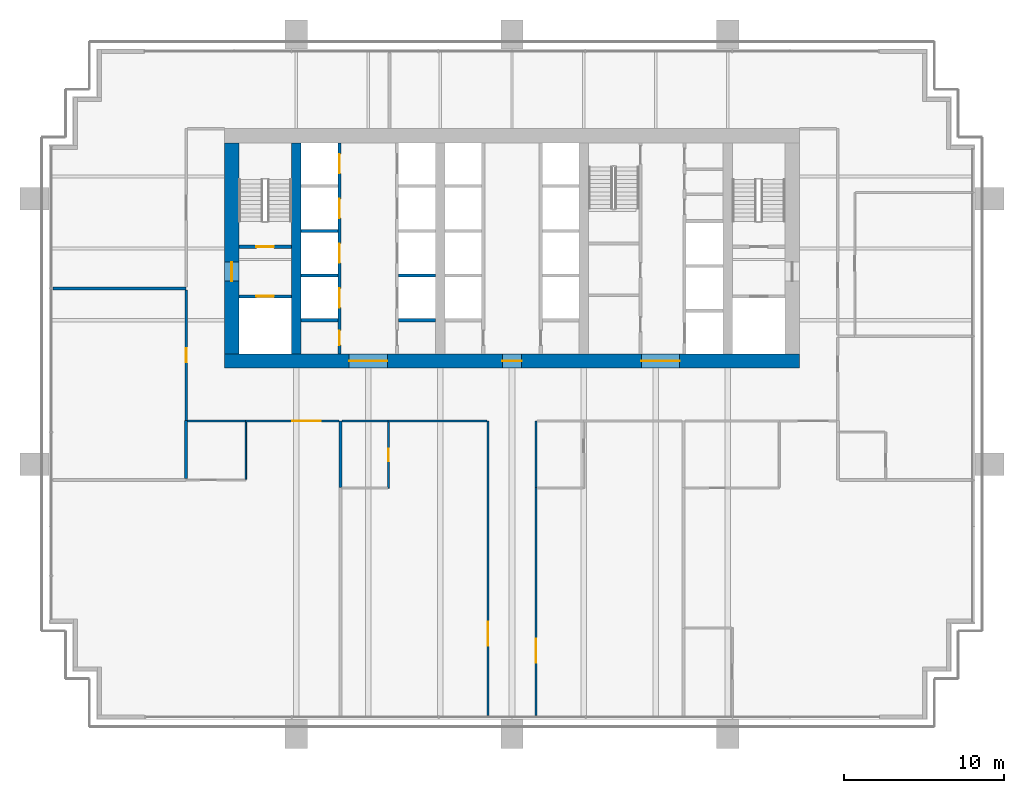
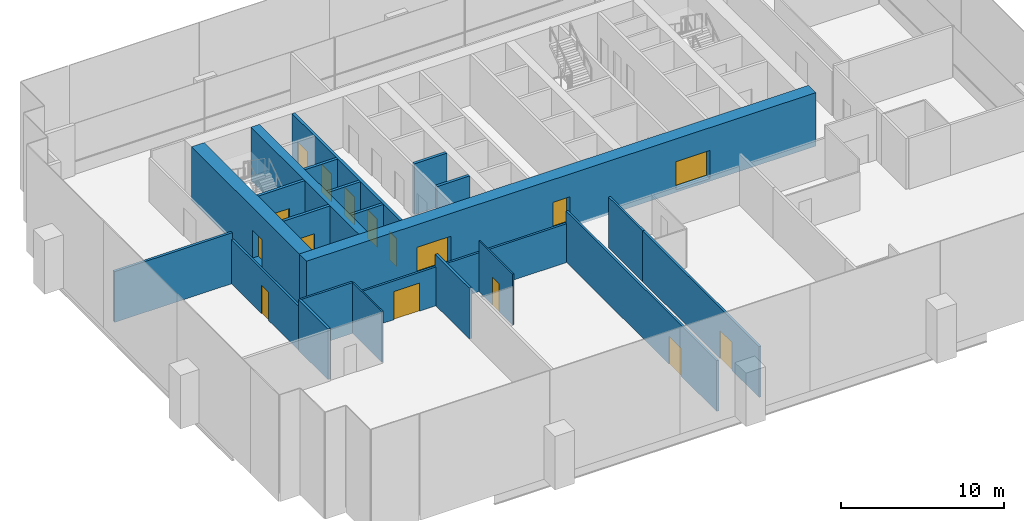
# One storey, part 10 of 16: 24 walls, 16 doors, 16 openings.
"""IFC4 building model written with IfcOpenShell, lengths in metres."""

import ifcopenshell
import ifcopenshell.guid

model = None  # the IFC model being written
_history = None  # IfcOwnerHistory: only IFC2X3 demands one
_inside = {}  # id of a spatial element -> (the spatial element, [elements in it])
_under = {}  # id of a project, library or spatial element -> (it, [spatial elements below it])
_declared = {}  # id of a project -> (the project, [libraries it declares])
_typed = {}  # id of a type object -> (the type object, [elements of that type])
_made_of = {}  # id of a material, layer set ... -> (it, [elements and type objects made of it])


def new_model(schema):
    """Start an empty IFC model of exactly this schema.

    Asked for "IFC4X3", IfcOpenShell would pick the latest addendum, in which some entities
    have other attributes; the version numbers below select the first issue.
    IFC2X3 requires an IfcOwnerHistory on every rooted entity: one is made here for all.
    """
    global model, _history
    if schema == "IFC4X3":
        model = ifcopenshell.file(schema_version=(4, 3, 0, 0))
    else:
        model = ifcopenshell.file(schema=schema)
    _inside.clear()
    _under.clear()
    _declared.clear()
    _typed.clear()
    _made_of.clear()
    _history = None
    if model.schema == "IFC2X3":
        org = make("IfcOrganization", Name="unknown")
        user = make(
            "IfcPersonAndOrganization",
            ThePerson=make("IfcPerson", FamilyName="unknown"),
            TheOrganization=org,
        )
        app = make(
            "IfcApplication",
            ApplicationDeveloper=org,
            Version="unknown",
            ApplicationFullName="unknown",
            ApplicationIdentifier="unknown",
        )
        _history = make(
            "IfcOwnerHistory",
            OwningUser=user,
            OwningApplication=app,
            ChangeAction="ADDED",
            CreationDate=0,
        )
    return model


def make(cls, **values):
    """One entity of the class cls with the attributes given. An attribute that is None is left unset."""
    return model.create_entity(
        cls, **{name: value for name, value in values.items() if value is not None}
    )


def rooted(cls, **values):
    """An entity with a GlobalId (a new one), such as an element, a storey or a relation."""
    return make(cls, GlobalId=ifcopenshell.guid.new(), OwnerHistory=_history, **values)


def si_unit(unit_type, name, prefix=None):
    """IfcSIUnit, for example si_unit("LENGTHUNIT", "METRE", prefix="MILLI")."""
    return make("IfcSIUnit", UnitType=unit_type, Prefix=prefix, Name=name)


def assignment(units):
    """IfcUnitAssignment: the units of a project."""
    return None if units is None else make("IfcUnitAssignment", Units=units)


def point(xyz):
    """IfcCartesianPoint."""
    return None if xyz is None else make("IfcCartesianPoint", Coordinates=xyz)


def direction(xyz):
    """IfcDirection."""
    return None if xyz is None else make("IfcDirection", DirectionRatios=xyz)


def frame(location, z_axis=None, x_axis=None):
    """IfcAxis2Placement3D, a coordinate frame: its origin and axes. An axis left out is left unset."""
    return make(
        "IfcAxis2Placement3D",
        Location=point(location),
        Axis=direction(z_axis),
        RefDirection=direction(x_axis),
    )


def frame_2d(location, x_axis=None):
    """IfcAxis2Placement2D, a coordinate frame in the plane: its origin and x axis."""
    return make(
        "IfcAxis2Placement2D", Location=point(location), RefDirection=direction(x_axis)
    )


def origin():
    """The frame at (0, 0, 0) with its axes left unset."""
    return frame((0.0, 0.0, 0.0))


def place(relative_to, where):
    """IfcLocalPlacement: puts the frame where relative to a parent placement (None: the world)."""
    return make(
        "IfcLocalPlacement", PlacementRelTo=relative_to, RelativePlacement=where
    )


def context(
    kind, dimensions, precision=None, world=None, true_north=None, identifier=None
):
    """IfcGeometricRepresentationContext, for example the 3D "Model" context."""
    return make(
        "IfcGeometricRepresentationContext",
        ContextIdentifier=identifier,
        ContextType=kind,
        CoordinateSpaceDimension=dimensions,
        Precision=precision,
        WorldCoordinateSystem=world,
        TrueNorth=true_north,
    )


def subcontext(parent, identifier, kind, view, scale=None):
    """IfcGeometricRepresentationSubContext, for example "Body" below "Model"."""
    return make(
        "IfcGeometricRepresentationSubContext",
        ContextIdentifier=identifier,
        ContextType=kind,
        ParentContext=parent,
        TargetScale=scale,
        TargetView=view,
    )


def project(units=None, contexts=None):
    """IfcProject with its units and contexts."""
    return rooted(
        "IfcProject",
        Name="project",
        RepresentationContexts=contexts,
        UnitsInContext=assignment(units),
    )


def spatial(cls, under=None, at=None, **own):
    """A site, building, storey or space (cls), placed at a placement, below another one or the project."""
    s = rooted(cls, ObjectPlacement=at, **own)
    if under is not None:
        _under.setdefault(under.id(), (under, []))[1].append(s)
    return s


def profile(cls, at=None, kind="AREA", **sizes):
    """A parametric profile (cls). Its sizes go by their IFC names, for example OverallWidth=200.0."""
    return make(cls, ProfileType=kind, Position=at, **sizes)


def rectangle(**sizes):
    """IfcRectangleProfileDef."""
    return profile("IfcRectangleProfileDef", **sizes)


def extrude(swept, where, along, depth):
    """IfcExtrudedAreaSolid: the profile swept, set in the frame where, extruded along a direction by depth."""
    return make(
        "IfcExtrudedAreaSolid",
        SweptArea=swept,
        Position=where,
        ExtrudedDirection=direction(along),
        Depth=depth,
    )


def shape(context_of_items, identifier, shape_type, items):
    """IfcShapeRepresentation: the items that make up one representation, for example the "Body"."""
    return make(
        "IfcShapeRepresentation",
        ContextOfItems=context_of_items,
        RepresentationIdentifier=identifier,
        RepresentationType=shape_type,
        Items=items,
    )


def material(Name=None, Category=None):
    """IfcMaterial."""
    return make("IfcMaterial", Name=Name, Category=Category)


def layer(
    of_material, thickness, ventilated=None, Name=None, Category=None, Priority=None
):
    """IfcMaterialLayer: one layer of a wall or slab, of a material (None: an air gap)."""
    return make(
        "IfcMaterialLayer",
        Material=of_material,
        LayerThickness=thickness,
        IsVentilated=ventilated,
        Name=Name,
        Category=Category,
        Priority=Priority,
    )


def layer_set(layers, Name=None):
    """IfcMaterialLayerSet."""
    return make("IfcMaterialLayerSet", MaterialLayers=layers, LayerSetName=Name)


def made_of(thing, what):
    """Note that an element or type object is made of a material, layer set ...; save() writes the relation."""
    if what is not None:
        _made_of.setdefault(what.id(), (what, []))[1].append(thing)
    return thing


def type_object(cls, material=None, **own):
    """A type object (cls), such as IfcWallType, which elements share."""
    return made_of(rooted(cls, **own), material)


def element(
    cls,
    number,
    at=None,
    inside=None,
    cuts=None,
    type_object=None,
    material=None,
    context=None,
    identifier="Body",
    shape_type=None,
    held_by="IfcProductDefinitionShape",
    body=None,
    shapes=None,
    **own,
):
    """One element of the class cls, such as IfcWall. Its Tag is "e" and its number.

    at: its placement. inside: the storey or other place that contains it. cuts: it is an
    opening in that element (IfcRelVoidsElement). A single representation is given by context,
    identifier, shape_type and body (its items); several are given by shapes. held_by: the class
    of the entity that holds the representations. save() writes the other relations.
    """
    e = rooted(cls, Tag="e%d" % number, ObjectPlacement=at, **own)
    if body is not None:
        shapes = [shape(context, identifier, shape_type, body)]
    if shapes is not None:
        e.Representation = make(held_by, Representations=shapes)
    if inside is not None:
        _inside.setdefault(inside.id(), (inside, []))[1].append(e)
    if cuts is not None:
        rooted(
            "IfcRelVoidsElement", RelatingBuildingElement=cuts, RelatedOpeningElement=e
        )
    if type_object is not None:
        _typed.setdefault(type_object.id(), (type_object, []))[1].append(e)
    return made_of(e, material)


def fill(opening, filler):
    """IfcRelFillsElement: the door or window that sits in an opening."""
    return rooted(
        "IfcRelFillsElement",
        RelatingOpeningElement=opening,
        RelatedBuildingElement=filler,
    )


def aggregate(whole, parts):
    """IfcRelAggregates: a whole, such as a stair, and the parts it consists of."""
    return rooted("IfcRelAggregates", RelatingObject=whole, RelatedObjects=parts)


def save(model, path):
    """Write the relations noted so far, then the file.

    IfcRelAggregates (storeys below a building ...), IfcRelContainedInSpatialStructure (elements
    in a storey), IfcRelDefinesByType, IfcRelAssociatesMaterial and IfcRelDeclares: one each for
    every whole, place, type object, material and project.
    """
    for whole, parts in _under.values():
        aggregate(whole, parts)
    for where, things in _inside.values():
        rooted(
            "IfcRelContainedInSpatialStructure",
            RelatedElements=things,
            RelatingStructure=where,
        )
    for kind, things in _typed.values():
        rooted("IfcRelDefinesByType", RelatedObjects=things, RelatingType=kind)
    for what, things in _made_of.values():
        rooted("IfcRelAssociatesMaterial", RelatedObjects=things, RelatingMaterial=what)
    for by, libraries in _declared.values():
        rooted("IfcRelDeclares", RelatingContext=by, RelatedDefinitions=libraries)
    model.write(path)


model = new_model("IFC4")

# Units and contexts
model_context = context("Model", 3, precision=1e-05, world=origin(), true_north=direction((0.0, 1.0)))
body_context = subcontext(model_context, "Body", "Model", "MODEL_VIEW")
ifc_project = project(units=[si_unit("LENGTHUNIT", "METRE"), si_unit("AREAUNIT", "SQUARE_METRE"), si_unit("VOLUMEUNIT", "CUBIC_METRE"), si_unit("PLANEANGLEUNIT", "RADIAN"), si_unit("MASSUNIT", "GRAM", prefix="KILO")], contexts=[model_context])

# Site, building, storey
site_placement = place(None, origin())
site = spatial("IfcSite", under=ifc_project, at=site_placement, CompositionType="ELEMENT")
building_placement = place(site_placement, origin())
building = spatial("IfcBuilding", under=site, at=building_placement, Name="Rattan Terrace Tower", CompositionType="ELEMENT")
storey_placement = place(building_placement, frame((0.0, 0.0, 150.10009765625)))
storey = spatial("IfcBuildingStorey", under=building, at=storey_placement, Name="L34", CompositionType="ELEMENT", Elevation=150.10009765625)

# Wall, opening, door
ifc_material_1 = material(Name="Gypsum board partition")
ifc_layer_1 = layer(ifc_material_1, 0.199951171875)
ifc_layer_set_1 = layer_set([ifc_layer_1], Name="Core partition 200")
wall_type_1 = type_object("IfcWallType", Name="Core partition 200", PredefinedType="PARTITIONING", material=ifc_layer_set_1)
wall_1_placement = place(storey_placement, frame((-17.10009765625, -3.0, 0.0), z_axis=(0.0, 0.0, 1.0), x_axis=(1.0, 0.0, 0.0)))
wall_1 = element("IfcWall", 1, at=wall_1_placement, inside=storey, type_object=wall_type_1, Name="Fire-fighting lobby wall", PredefinedType="PARTITIONING", context=body_context, shape_type="SweptSolid", body=[
    extrude(rectangle(XDim=3.300048828125, YDim=0.199951171875, at=frame_2d((1.64990234375, 0.0))), origin(), (0.0, 0.0, 1.0), 3.7998046875),
])
opening_1_placement = place(wall_1_placement, frame((1.10009765625, 0.0, 0.0)))
opening_1 = element("IfcOpeningElement", 2, at=opening_1_placement, cuts=wall_1, Name="Opening L34-LD-FF1", PredefinedType="OPENING", context=body_context, shape_type="SweptSolid", body=[
    extrude(rectangle(XDim=1.10009765625, YDim=2.10009765625, at=frame_2d((0.550048828125, 1.050048828125))), frame((0.0, 0.110595703125, 0.0), z_axis=(0.0, -1.0, 0.0), x_axis=(1.0, 0.0, 0.0)), (0.0, 0.0, 1.0), 0.220947265625),
])
ifc_material_2 = material(Name="Brushed stainless landing door panel")
door_type_1 = type_object("IfcDoorType", Name="Core lift landing door 1100", OperationType="DOUBLE_DOOR_SLIDING", PredefinedType="DOOR", material=ifc_material_2)
door_1_placement = place(opening_1_placement, origin())
door_1 = element("IfcDoor", 3, at=door_1_placement, inside=storey, type_object=door_type_1, Name="Door L34-LD-FF1", OperationType="DOUBLE_DOOR_SLIDING", OverallHeight=2.10009765625, OverallWidth=1.10009765625, PredefinedType="DOOR", context=body_context, shape_type="SweptSolid", body=[
    extrude(rectangle(XDim=1.10009765625, YDim=2.10009765625, at=frame_2d((0.550048828125, 1.050048828125))), frame((0.0, 0.02490234375, 0.0), z_axis=(0.0, -1.0, 0.0), x_axis=(1.0, 0.0, 0.0)), (0.0, 0.0, 1.0), 0.050048828125),
])
fill(opening_1, door_1)

wall_2_placement = place(storey_placement, frame((-17.10009765625, 0.10009765625, 0.0), z_axis=(0.0, 0.0, 1.0), x_axis=(1.0, 0.0, 0.0)))
wall_2 = element("IfcWall", 4, at=wall_2_placement, inside=storey, type_object=wall_type_1, Name="Stair enclosure wall", PredefinedType="PARTITIONING", context=body_context, shape_type="SweptSolid", body=[
    extrude(rectangle(XDim=3.300048828125, YDim=0.199951171875, at=frame_2d((1.64990234375, 0.0))), origin(), (0.0, 0.0, 1.0), 3.7998046875),
])
opening_2_placement = place(wall_2_placement, frame((1.10009765625, 0.0, 0.0)))
opening_2 = element("IfcOpeningElement", 5, at=opening_2_placement, cuts=wall_2, Name="Opening L34-D002", PredefinedType="OPENING", context=body_context, shape_type="SweptSolid", body=[
    extrude(rectangle(XDim=1.10009765625, YDim=2.10009765625, at=frame_2d((0.550048828125, 1.050048828125))), frame((0.0, 0.110595703125, 0.0), z_axis=(0.0, -1.0, 0.0), x_axis=(1.0, 0.0, 0.0)), (0.0, 0.0, 1.0), 0.220947265625),
])
ifc_material_3 = material(Name="Hollow-metal fire door leaf")
door_type_2 = type_object("IfcDoorType", Name="Core stair door 1100", OperationType="NOTDEFINED", PredefinedType="DOOR", material=ifc_material_3)
door_2_placement = place(opening_2_placement, origin())
door_2 = element("IfcDoor", 6, at=door_2_placement, inside=storey, type_object=door_type_2, Name="Door L34-D002", OperationType="SINGLE_SWING_RIGHT", OverallHeight=2.10009765625, OverallWidth=1.10009765625, PredefinedType="DOOR", context=body_context, shape_type="SweptSolid", body=[
    extrude(rectangle(XDim=1.10009765625, YDim=2.10009765625, at=frame_2d((0.550048828125, 1.050048828125))), frame((0.0, 0.02490234375, 0.0), z_axis=(0.0, -1.0, 0.0), x_axis=(1.0, 0.0, 0.0)), (0.0, 0.0, 1.0), 0.050048828125),
])
fill(opening_2, door_2)

# Wall, openings, doors
ifc_material_4 = material(Name="Concrete C60/75", Category="concrete")
ifc_layer_2 = layer(ifc_material_4, 0.89990234375)
ifc_layer_set_2 = layer_set([ifc_layer_2], Name="Core ring wall 900 C60/75")
wall_type_2 = type_object("IfcWallType", Name="Core ring wall 900 C60/75", PredefinedType="SHEAR", material=ifc_layer_set_2)
wall_3_placement = place(storey_placement, frame((-18.0, -7.050048828125, -0.2001953125), z_axis=(0.0, 0.0, 1.0), x_axis=(1.0, 0.0, 0.0)))
wall_3 = element("IfcWall", 7, at=wall_3_placement, inside=storey, type_object=wall_type_2, Name="Rear core wall south", PredefinedType="SHEAR", context=body_context, shape_type="SweptSolid", body=[
    extrude(rectangle(XDim=36.0, YDim=0.89990234375, at=frame_2d((18.0, 0.0))), origin(), (0.0, 0.0, 1.0), 4.0),
])
opening_3_placement = place(wall_3_placement, frame((7.800048828125, 0.0, 0.199951171875)))
opening_3 = element("IfcOpeningElement", 8, at=opening_3_placement, cuts=wall_3, Name="Opening L34-D007", PredefinedType="OPENING", context=body_context, shape_type="SweptSolid", body=[
    extrude(rectangle(XDim=2.39990234375, YDim=2.10009765625, at=frame_2d((1.199951171875, 1.050048828125))), frame((0.0, 0.46044921875, 0.0), z_axis=(0.0, -1.0, 0.0), x_axis=(1.0, 0.0, 0.0)), (0.0, 0.0, 1.0), 0.9208984375),
])
opening_4_placement = place(wall_3_placement, frame((17.39990234375, 0.0, 0.199951171875)))
opening_4 = element("IfcOpeningElement", 9, at=opening_4_placement, cuts=wall_3, Name="Opening L34-D010", PredefinedType="OPENING", context=body_context, shape_type="SweptSolid", body=[
    extrude(rectangle(XDim=1.199951171875, YDim=2.10009765625, at=frame_2d((0.60009765625, 1.050048828125))), frame((0.0, 0.46044921875, 0.0), z_axis=(0.0, -1.0, 0.0), x_axis=(1.0, 0.0, 0.0)), (0.0, 0.0, 1.0), 0.9208984375),
])
opening_5_placement = place(wall_3_placement, frame((26.10009765625, 0.0, 0.199951171875)))
opening_5 = element("IfcOpeningElement", 10, at=opening_5_placement, cuts=wall_3, Name="Opening L34-D014", PredefinedType="OPENING", context=body_context, shape_type="SweptSolid", body=[
    extrude(rectangle(XDim=2.39990234375, YDim=2.10009765625, at=frame_2d((1.199951171875, 1.050048828125))), frame((0.0, 0.46044921875, 0.0), z_axis=(0.0, -1.0, 0.0), x_axis=(1.0, 0.0, 0.0)), (0.0, 0.0, 1.0), 0.9208984375),
])
ifc_material_5 = material(Name="Hollow-metal fire door leaf")
door_type_3 = type_object("IfcDoorType", Name="Core lift lobby door 2400", OperationType="NOTDEFINED", PredefinedType="DOOR", material=ifc_material_5)
door_3_placement = place(opening_3_placement, origin())
door_3 = element("IfcDoor", 11, at=door_3_placement, inside=storey, type_object=door_type_3, Name="Door L34-D007", OperationType="DOUBLE_DOOR_DOUBLE_SWING", OverallHeight=2.10009765625, OverallWidth=2.39990234375, PredefinedType="DOOR", context=body_context, shape_type="SweptSolid", body=[
    extrude(rectangle(XDim=2.39990234375, YDim=2.10009765625, at=frame_2d((1.199951171875, 1.050048828125))), frame((0.0, 0.02490234375, 0.0), z_axis=(0.0, -1.0, 0.0), x_axis=(1.0, 0.0, 0.0)), (0.0, 0.0, 1.0), 0.050048828125),
])
fill(opening_3, door_3)
door_4_placement = place(opening_5_placement, origin())
door_4 = element("IfcDoor", 12, at=door_4_placement, inside=storey, type_object=door_type_3, Name="Door L34-D014", OperationType="DOUBLE_DOOR_DOUBLE_SWING", OverallHeight=2.10009765625, OverallWidth=2.39990234375, PredefinedType="DOOR", context=body_context, shape_type="SweptSolid", body=[
    extrude(rectangle(XDim=2.39990234375, YDim=2.10009765625, at=frame_2d((1.199951171875, 1.050048828125))), frame((0.0, 0.02490234375, 0.0), z_axis=(0.0, -1.0, 0.0), x_axis=(1.0, 0.0, 0.0)), (0.0, 0.0, 1.0), 0.050048828125),
])
fill(opening_5, door_4)
ifc_material_6 = material(Name="Hollow-metal fire door leaf")
door_type_4 = type_object("IfcDoorType", Name="Core riser door 1200", OperationType="NOTDEFINED", PredefinedType="DOOR", material=ifc_material_6)
door_5_placement = place(opening_4_placement, origin())
door_5 = element("IfcDoor", 13, at=door_5_placement, inside=storey, type_object=door_type_4, Name="Door L34-D010", OperationType="SINGLE_SWING_LEFT", OverallHeight=2.10009765625, OverallWidth=1.199951171875, PredefinedType="DOOR", context=body_context, shape_type="SweptSolid", body=[
    extrude(rectangle(XDim=1.199951171875, YDim=2.10009765625, at=frame_2d((0.60009765625, 1.050048828125))), frame((0.0, 0.02490234375, 0.0), z_axis=(0.0, -1.0, 0.0), x_axis=(1.0, 0.0, 0.0)), (0.0, 0.0, 1.0), 0.050048828125),
])
fill(opening_4, door_5)

# Wall, opening, door
wall_4_placement = place(storey_placement, frame((-17.550048828125, -6.60009765625, -0.2001953125), z_axis=(0.0, 0.0, 1.0), x_axis=(0.0, 1.0, 0.0)))
wall_4 = element("IfcWall", 14, at=wall_4_placement, inside=storey, type_object=wall_type_2, Name="Rear core wall west", PredefinedType="SHEAR", context=body_context, shape_type="SweptSolid", body=[
    extrude(rectangle(XDim=13.2001953125, YDim=0.89990234375, at=frame_2d((6.60009765625, 0.0))), origin(), (0.0, 0.0, 1.0), 4.0),
])
opening_6_placement = place(wall_4_placement, frame((4.550048828125, 0.0, 0.199951171875)))
opening_6 = element("IfcOpeningElement", 15, at=opening_6_placement, cuts=wall_4, Name="Opening L34-D001", PredefinedType="OPENING", context=body_context, shape_type="SweptSolid", body=[
    extrude(rectangle(XDim=1.199951171875, YDim=2.10009765625, at=frame_2d((0.60009765625, 1.050048828125))), frame((0.0, 0.46044921875, 0.0), z_axis=(0.0, -1.0, 0.0), x_axis=(1.0, 0.0, 0.0)), (0.0, 0.0, 1.0), 0.9208984375),
])
ifc_material_7 = material(Name="Hollow-metal fire door leaf")
door_type_5 = type_object("IfcDoorType", Name="Core fire-fighting lobby door 1200", OperationType="NOTDEFINED", PredefinedType="DOOR", material=ifc_material_7)
door_6_placement = place(opening_6_placement, origin())
door_6 = element("IfcDoor", 16, at=door_6_placement, inside=storey, type_object=door_type_5, Name="Door L34-D001", OperationType="SINGLE_SWING_LEFT", OverallHeight=2.10009765625, OverallWidth=1.199951171875, PredefinedType="DOOR", context=body_context, shape_type="SweptSolid", body=[
    extrude(rectangle(XDim=1.199951171875, YDim=2.10009765625, at=frame_2d((0.60009765625, 1.050048828125))), frame((0.0, 0.02490234375, 0.0), z_axis=(0.0, -1.0, 0.0), x_axis=(1.0, 0.0, 0.0)), (0.0, 0.0, 1.0), 0.050048828125),
])
fill(opening_6, door_6)

# Walls
ifc_material_8 = material(Name="Concrete C60/75", Category="concrete")
ifc_layer_3 = layer(ifc_material_8, 0.60009765625)
ifc_layer_set_3 = layer_set([ifc_layer_3], Name="Core spine wall 600 C60/75")
wall_type_3 = type_object("IfcWallType", Name="Core spine wall 600 C60/75", PredefinedType="SHEAR", material=ifc_layer_set_3)
wall_5_placement = place(storey_placement, frame((-13.5, -6.60009765625, -0.2001953125), z_axis=(0.0, 0.0, 1.0), x_axis=(0.0, 1.0, 0.0)))
element("IfcWall", 17, at=wall_5_placement, inside=storey, type_object=wall_type_3, Name="Core spine wall 1", PredefinedType="SHEAR", context=body_context, shape_type="SweptSolid", body=[
    extrude(rectangle(XDim=13.2001953125, YDim=0.60009765625, at=frame_2d((6.60009765625, 0.0))), origin(), (0.0, 0.0, 1.0), 4.0),
])
ifc_material_9 = material(Name="Double steel stud acoustic partition, gypsum board, mineral wool, fire rated", Category="steel")
ifc_layer_4 = layer(ifc_material_9, 0.179931640625)
ifc_layer_set_4 = layer_set([ifc_layer_4], Name="Floors Acoustic Party Wall 180")
wall_type_4 = type_object("IfcWallType", Name="Floors Acoustic Party Wall 180", PredefinedType="PARTITIONING", material=ifc_layer_set_4)
wall_6_placement = place(storey_placement, frame((-28.739990234375, -2.5, 0.0), z_axis=(0.0, 0.0, 1.0), x_axis=(1.0, 0.0, 0.0)))
element("IfcWall", 18, at=wall_6_placement, inside=storey, type_object=wall_type_4, Name="pt-L34-018", PredefinedType="PARTITIONING", context=body_context, shape_type="SweptSolid", body=[
    extrude(rectangle(XDim=8.340087890625, YDim=0.179931640625, at=frame_2d((4.169921875, 0.0))), origin(), (0.0, 0.0, 1.0), 3.7998046875),
])
wall_7_placement = place(storey_placement, frame((-20.39892578125, -10.780029296875, 0.0), z_axis=(0.0, 0.0, 1.0), x_axis=(0.0, -1.0, 0.0)))
element("IfcWall", 19, at=wall_7_placement, inside=storey, type_object=wall_type_4, Name="pt-L34-020", PredefinedType="PARTITIONING", context=body_context, shape_type="SweptSolid", body=[
    extrude(rectangle(XDim=3.6298828125, YDim=0.179931640625, at=frame_2d((1.81494140625, 0.0))), origin(), (0.0, 0.0, 1.0), 3.7998046875),
])
wall_8_placement = place(storey_placement, frame((-10.73291015625, -10.800048828125, 0.0), z_axis=(0.0, 0.0, 1.0), x_axis=(0.0, -1.0, 0.0)))
element("IfcWall", 20, at=wall_8_placement, inside=storey, type_object=wall_type_4, Name="pt-L34-044", PredefinedType="PARTITIONING", context=body_context, shape_type="SweptSolid", body=[
    extrude(rectangle(XDim=4.179931640625, YDim=0.179931640625, at=frame_2d((2.08984375, 0.0))), origin(), (0.0, 0.0, 1.0), 3.7998046875),
])
ifc_material_10 = material(Name="Gypsum board partition on steel studs", Category="steel")
ifc_layer_5 = layer(ifc_material_10, 0.10009765625)
ifc_layer_set_5 = layer_set([ifc_layer_5], Name="Floors Partition 100")
wall_type_5 = type_object("IfcWallType", Name="Floors Partition 100", PredefinedType="PARTITIONING", material=ifc_layer_set_5)
wall_9_placement = place(storey_placement, frame((-16.659912109375, -14.449951171875, 0.0), z_axis=(0.0, 0.0, 1.0), x_axis=(0.0, 1.0, 0.0)))
element("IfcWall", 21, at=wall_9_placement, inside=storey, type_object=wall_type_5, Name="pt-L34-042", PredefinedType="PARTITIONING", context=body_context, shape_type="SweptSolid", body=[
    extrude(rectangle(XDim=3.574951171875, YDim=0.10009765625, at=frame_2d((1.78759765625, 0.0))), origin(), (0.0, 0.0, 1.0), 3.7998046875),
])

# Wall, opening, door
wall_10_placement = place(storey_placement, frame((-7.73291015625, -15.0, 0.0), z_axis=(0.0, 0.0, 1.0), x_axis=(0.0, 1.0, 0.0)))
wall_10 = element("IfcWall", 22, at=wall_10_placement, inside=storey, type_object=wall_type_5, Name="pt-L34-046", PredefinedType="PARTITIONING", context=body_context, shape_type="SweptSolid", body=[
    extrude(rectangle(XDim=4.125, YDim=0.10009765625, at=frame_2d((2.0625, 0.0))), origin(), (0.0, 0.0, 1.0), 3.7998046875),
])
opening_7_placement = place(wall_10_placement, frame((1.6630859375, 0.0, 0.0)))
opening_7 = element("IfcOpeningElement", 23, at=opening_7_placement, cuts=wall_10, Name="Opening L34-D114", PredefinedType="OPENING", context=body_context, shape_type="SweptSolid", body=[
    extrude(rectangle(XDim=0.800048828125, YDim=2.10009765625, at=frame_2d((0.39990234375, 1.050048828125))), frame((0.0, 0.060546875, 0.0), z_axis=(0.0, -1.0, 0.0), x_axis=(1.0, 0.0, 0.0)), (0.0, 0.0, 1.0), 0.12109375),
])
ifc_material_11 = material(Name="Solid core timber door, painted", Category="wood")
door_type_6 = type_object("IfcDoorType", Name="Floors Store Door 800x2100", OperationType="NOTDEFINED", PredefinedType="DOOR", material=ifc_material_11)
door_7_placement = place(opening_7_placement, origin())
door_7 = element("IfcDoor", 24, at=door_7_placement, inside=storey, type_object=door_type_6, Name="d-L34-114", OperationType="SINGLE_SWING_LEFT", OverallHeight=2.10009765625, OverallWidth=0.800048828125, PredefinedType="DOOR", context=body_context, shape_type="SweptSolid", body=[
    extrude(rectangle(XDim=0.800048828125, YDim=2.10009765625, at=frame_2d((0.39990234375, 1.050048828125))), frame((0.0, 0.02490234375, 0.0), z_axis=(0.0, -1.0, 0.0), x_axis=(1.0, 0.0, 0.0)), (0.0, 0.0, 1.0), 0.050048828125),
])
fill(opening_7, door_7)

ifc_material_12 = material(Name="Gypsum board partition on steel studs, fire rated", Category="steel")
ifc_layer_6 = layer(ifc_material_12, 0.14990234375)
ifc_layer_set_6 = layer_set([ifc_layer_6], Name="Floors Tenancy Wall 150")
wall_type_6 = type_object("IfcWallType", Name="Floors Tenancy Wall 150", PredefinedType="PARTITIONING", material=ifc_layer_set_6)
wall_11_placement = place(storey_placement, frame((-20.39990234375, -10.780029296875, 0.0), z_axis=(0.0, 0.0, 1.0), x_axis=(0.0, 1.0, 0.0)))
wall_11 = element("IfcWall", 25, at=wall_11_placement, inside=storey, type_object=wall_type_6, Name="pt-L34-001", PredefinedType="PARTITIONING", context=body_context, shape_type="SweptSolid", body=[
    extrude(rectangle(XDim=8.18994140625, YDim=0.14990234375, at=frame_2d((4.094970703125, 0.0))), origin(), (0.0, 0.0, 1.0), 3.2998046875),
])
opening_8_placement = place(wall_11_placement, frame((3.64501953125, 0.0, 0.0)))
opening_8 = element("IfcOpeningElement", 26, at=opening_8_placement, cuts=wall_11, Name="Opening L34-D100", PredefinedType="OPENING", context=body_context, shape_type="SweptSolid", body=[
    extrude(rectangle(XDim=0.89990234375, YDim=2.10009765625, at=frame_2d((0.449951171875, 1.050048828125))), frame((0.0, 0.08544921875, 0.0), z_axis=(0.0, -1.0, 0.0), x_axis=(1.0, 0.0, 0.0)), (0.0, 0.0, 1.0), 0.1708984375),
])
ifc_material_13 = material(Name="Steel fire door set", Category="steel")
door_type_7 = type_object("IfcDoorType", Name="Floors Fire Door FD30S 900x2100", OperationType="NOTDEFINED", PredefinedType="DOOR", material=ifc_material_13)
door_8_placement = place(opening_8_placement, origin())
door_8 = element("IfcDoor", 27, at=door_8_placement, inside=storey, type_object=door_type_7, Name="d-L34-100", OperationType="SINGLE_SWING_LEFT", OverallHeight=2.10009765625, OverallWidth=0.89990234375, PredefinedType="DOOR", context=body_context, shape_type="SweptSolid", body=[
    extrude(rectangle(XDim=0.89990234375, YDim=2.10009765625, at=frame_2d((0.449951171875, 1.050048828125))), frame((0.0, 0.02490234375, 0.0), z_axis=(0.0, -1.0, 0.0), x_axis=(1.0, 0.0, 0.0)), (0.0, 0.0, 1.0), 0.050048828125),
])
fill(opening_8, door_8)

wall_12_placement = place(storey_placement, frame((1.5, -14.97998046875, 0.0), z_axis=(0.0, 0.0, 1.0), x_axis=(0.0, -1.0, 0.0)))
wall_12 = element("IfcWall", 28, at=wall_12_placement, inside=storey, type_object=wall_type_6, Name="pt-L34-007", PredefinedType="PARTITIONING", context=body_context, shape_type="SweptSolid", body=[
    extrude(rectangle(XDim=14.260009765625, YDim=0.14990234375, at=frame_2d((7.1298828125, 0.0))), origin(), (0.0, 0.0, 1.0), 3.7998046875),
])
opening_9_placement = place(wall_12_placement, frame((9.445068359375, 0.0, 0.0)))
opening_9 = element("IfcOpeningElement", 29, at=opening_9_placement, cuts=wall_12, Name="Opening L34-D106", PredefinedType="OPENING", context=body_context, shape_type="SweptSolid", body=[
    extrude(rectangle(XDim=1.5, YDim=2.10009765625, at=frame_2d((0.75, 1.050048828125))), frame((0.0, 0.08544921875, 0.0), z_axis=(0.0, -1.0, 0.0), x_axis=(1.0, 0.0, 0.0)), (0.0, 0.0, 1.0), 0.1708984375),
])
ifc_material_14 = material(Name="Steel fire door set", Category="steel")
door_type_8 = type_object("IfcDoorType", Name="Floors Unit Door Pair FD30S 1500x2100", OperationType="NOTDEFINED", PredefinedType="DOOR", material=ifc_material_14)
door_9_placement = place(opening_9_placement, origin())
door_9 = element("IfcDoor", 30, at=door_9_placement, inside=storey, type_object=door_type_8, Name="d-L34-106", OperationType="DOUBLE_DOOR_SINGLE_SWING", OverallHeight=2.10009765625, OverallWidth=1.5, PredefinedType="DOOR", context=body_context, shape_type="SweptSolid", body=[
    extrude(rectangle(XDim=1.5, YDim=2.10009765625, at=frame_2d((0.75, 1.050048828125))), frame((0.0, 0.02490234375, 0.0), z_axis=(0.0, -1.0, 0.0), x_axis=(1.0, 0.0, 0.0)), (0.0, 0.0, 1.0), 0.050048828125),
])
fill(opening_9, door_9)

# Wall
wall_13_placement = place(storey_placement, frame((1.5, -10.800048828125, 0.0), z_axis=(0.0, 0.0, 1.0), x_axis=(0.0, -1.0, 0.0)))
element("IfcWall", 31, at=wall_13_placement, inside=storey, type_object=wall_type_6, Name="pt-L34-009", PredefinedType="PARTITIONING", context=body_context, shape_type="SweptSolid", body=[
    extrude(rectangle(XDim=4.179931640625, YDim=0.14990234375, at=frame_2d((2.08984375, 0.0))), origin(), (0.0, 0.0, 1.0), 3.7998046875),
])

# Wall, opening, door
wall_14_placement = place(storey_placement, frame((-10.822998046875, -10.800048828125, 0.0), z_axis=(0.0, 0.0, 1.0), x_axis=(-1.0, 0.0, 0.0)))
wall_14 = element("IfcWall", 32, at=wall_14_placement, inside=storey, type_object=wall_type_6, Name="pt-L34-013", PredefinedType="PARTITIONING", context=body_context, shape_type="SweptSolid", body=[
    extrude(rectangle(XDim=5.85693359375, YDim=0.14990234375, at=frame_2d((2.928466796875, 0.0))), origin(), (0.0, 0.0, 1.0), 2.89990234375),
])
opening_10_placement = place(wall_14_placement, frame((1.138916015625, 0.0, 0.0)))
opening_10 = element("IfcOpeningElement", 33, at=opening_10_placement, cuts=wall_14, Name="Opening L34-D111", PredefinedType="OPENING", context=body_context, shape_type="SweptSolid", body=[
    extrude(rectangle(XDim=1.800048828125, YDim=2.10009765625, at=frame_2d((0.89990234375, 1.050048828125))), frame((0.0, 0.08544921875, 0.0), z_axis=(0.0, -1.0, 0.0), x_axis=(1.0, 0.0, 0.0)), (0.0, 0.0, 1.0), 0.1708984375),
])
ifc_material_15 = material(Name="Steel fire door set", Category="steel")
door_type_9 = type_object("IfcDoorType", Name="Floors Fire Door Pair FD30S 1800x2100", OperationType="NOTDEFINED", PredefinedType="DOOR", material=ifc_material_15)
door_10_placement = place(opening_10_placement, origin())
door_10 = element("IfcDoor", 34, at=door_10_placement, inside=storey, type_object=door_type_9, Name="d-L34-111", OperationType="DOUBLE_DOOR_SINGLE_SWING", OverallHeight=2.10009765625, OverallWidth=1.800048828125, PredefinedType="DOOR", context=body_context, shape_type="SweptSolid", body=[
    extrude(rectangle(XDim=1.800048828125, YDim=2.10009765625, at=frame_2d((0.89990234375, 1.050048828125))), frame((0.0, 0.02490234375, 0.0), z_axis=(0.0, -1.0, 0.0), x_axis=(1.0, 0.0, 0.0)), (0.0, 0.0, 1.0), 0.050048828125),
])
fill(opening_10, door_10)

# Walls
wall_15_placement = place(storey_placement, frame((-16.679931640625, -10.800048828125, 0.0), z_axis=(0.0, 0.0, 1.0), x_axis=(-1.0, 0.0, 0.0)))
element("IfcWall", 35, at=wall_15_placement, inside=storey, type_object=wall_type_6, Name="pt-L34-014", PredefinedType="PARTITIONING", context=body_context, shape_type="SweptSolid", body=[
    extrude(rectangle(XDim=3.64501953125, YDim=0.14990234375, at=frame_2d((1.822509765625, 0.0))), origin(), (0.0, 0.0, 1.0), 3.7998046875),
])
wall_16_placement = place(storey_placement, frame((-1.574951171875, -10.800048828125, 0.0), z_axis=(0.0, 0.0, 1.0), x_axis=(-1.0, 0.0, 0.0)))
element("IfcWall", 36, at=wall_16_placement, inside=storey, type_object=wall_type_6, Name="pt-L34-015", PredefinedType="PARTITIONING", context=body_context, shape_type="SweptSolid", body=[
    extrude(rectangle(XDim=6.177978515625, YDim=0.14990234375, at=frame_2d((3.0888671875, 0.0))), origin(), (0.0, 0.0, 1.0), 2.89990234375),
])

# Wall, opening, door
wall_17_placement = place(storey_placement, frame((-1.5, -29.239990234375, 0.0), z_axis=(0.0, 0.0, 1.0), x_axis=(0.0, 1.0, 0.0)))
wall_17 = element("IfcWall", 37, at=wall_17_placement, inside=storey, type_object=wall_type_6, Name="pt-L34-016", PredefinedType="PARTITIONING", context=body_context, shape_type="SweptSolid", body=[
    extrude(rectangle(XDim=18.43994140625, YDim=0.14990234375, at=frame_2d((9.219970703125, 0.0))), origin(), (0.0, 0.0, 1.0), 3.7998046875),
])
opening_11_placement = place(wall_17_placement, frame((4.360107421875, 0.0, 0.0)))
opening_11 = element("IfcOpeningElement", 38, at=opening_11_placement, cuts=wall_17, Name="Opening L34-D113", PredefinedType="OPENING", context=body_context, shape_type="SweptSolid", body=[
    extrude(rectangle(XDim=1.5, YDim=2.10009765625, at=frame_2d((0.75, 1.050048828125))), frame((0.0, 0.08544921875, 0.0), z_axis=(0.0, -1.0, 0.0), x_axis=(1.0, 0.0, 0.0)), (0.0, 0.0, 1.0), 0.1708984375),
])
door_11_placement = place(opening_11_placement, origin())
door_11 = element("IfcDoor", 39, at=door_11_placement, inside=storey, type_object=door_type_8, Name="d-L34-113", OperationType="DOUBLE_DOOR_SINGLE_SWING", OverallHeight=2.10009765625, OverallWidth=1.5, PredefinedType="DOOR", context=body_context, shape_type="SweptSolid", body=[
    extrude(rectangle(XDim=1.5, YDim=2.10009765625, at=frame_2d((0.75, 1.050048828125))), frame((0.0, 0.02490234375, 0.0), z_axis=(0.0, -1.0, 0.0), x_axis=(1.0, 0.0, 0.0)), (0.0, 0.0, 1.0), 0.050048828125),
])
fill(opening_11, door_11)

# Wall
wall_18_placement = place(storey_placement, frame((-7.7529296875, -10.800048828125, 0.0), z_axis=(0.0, 0.0, 1.0), x_axis=(-1.0, 0.0, 0.0)))
element("IfcWall", 40, at=wall_18_placement, inside=storey, type_object=wall_type_6, Name="pt-L34-017", PredefinedType="PARTITIONING", context=body_context, shape_type="SweptSolid", body=[
    extrude(rectangle(XDim=2.89013671875, YDim=0.14990234375, at=frame_2d((1.445068359375, 0.0))), origin(), (0.0, 0.0, 1.0), 2.89990234375),
])

# Wall, openings, doors
ifc_material_16 = material(Name="Gypsum shaft wall system")
ifc_layer_7 = layer(ifc_material_16, 0.199951171875)
ifc_layer_set_7 = layer_set([ifc_layer_7], Name="Lift shaft wall 200")
wall_type_7 = type_object("IfcWallType", Name="Lift shaft wall 200", PredefinedType="PARTITIONING", material=ifc_layer_set_7)
wall_19_placement = place(storey_placement, frame((-10.800048828125, -6.60009765625, 0.0), z_axis=(0.0, 0.0, 1.0), x_axis=(0.0, 1.0, 0.0)))
wall_19 = element("IfcWall", 41, at=wall_19_placement, inside=storey, type_object=wall_type_7, Name="Lift shaft front wall", PredefinedType="PARTITIONING", context=body_context, shape_type="SweptSolid", body=[
    extrude(rectangle(XDim=13.2001953125, YDim=0.199951171875, at=frame_2d((6.60009765625, 0.0))), origin(), (0.0, 0.0, 1.0), 3.7998046875),
])
opening_12_placement = place(wall_19_placement, frame((0.550048828125, 0.0, 0.0)))
opening_12 = element("IfcOpeningElement", 42, at=opening_12_placement, cuts=wall_19, Name="Opening L34-D005", PredefinedType="OPENING", context=body_context, shape_type="SweptSolid", body=[
    extrude(rectangle(XDim=0.89990234375, YDim=2.10009765625, at=frame_2d((0.449951171875, 1.050048828125))), frame((0.0, 0.110595703125, 0.0), z_axis=(0.0, -1.0, 0.0), x_axis=(1.0, 0.0, 0.0)), (0.0, 0.0, 1.0), 0.220947265625),
])
opening_13_placement = place(wall_19_placement, frame((2.89990234375, 0.0, 0.0)))
opening_13 = element("IfcOpeningElement", 43, at=opening_13_placement, cuts=wall_19, Name="Opening L34-LD-LR1", PredefinedType="OPENING", context=body_context, shape_type="SweptSolid", body=[
    extrude(rectangle(XDim=1.199951171875, YDim=2.10009765625, at=frame_2d((0.60009765625, 1.050048828125))), frame((0.0, 0.110595703125, 0.0), z_axis=(0.0, -1.0, 0.0), x_axis=(1.0, 0.0, 0.0)), (0.0, 0.0, 1.0), 0.220947265625),
])
opening_14_placement = place(wall_19_placement, frame((5.699951171875, 0.0, 0.0)))
opening_14 = element("IfcOpeningElement", 44, at=opening_14_placement, cuts=wall_19, Name="Opening L34-LD-LR2", PredefinedType="OPENING", context=body_context, shape_type="SweptSolid", body=[
    extrude(rectangle(XDim=1.199951171875, YDim=2.10009765625, at=frame_2d((0.60009765625, 1.050048828125))), frame((0.0, 0.110595703125, 0.0), z_axis=(0.0, -1.0, 0.0), x_axis=(1.0, 0.0, 0.0)), (0.0, 0.0, 1.0), 0.220947265625),
])
opening_15_placement = place(wall_19_placement, frame((8.5, 0.0, 0.0)))
opening_15 = element("IfcOpeningElement", 45, at=opening_15_placement, cuts=wall_19, Name="Opening L34-LD-LR3", PredefinedType="OPENING", context=body_context, shape_type="SweptSolid", body=[
    extrude(rectangle(XDim=1.199951171875, YDim=2.10009765625, at=frame_2d((0.60009765625, 1.050048828125))), frame((0.0, 0.110595703125, 0.0), z_axis=(0.0, -1.0, 0.0), x_axis=(1.0, 0.0, 0.0)), (0.0, 0.0, 1.0), 0.220947265625),
])
opening_16_placement = place(wall_19_placement, frame((11.300048828125, 0.0, 0.0)))
opening_16 = element("IfcOpeningElement", 46, at=opening_16_placement, cuts=wall_19, Name="Opening L34-LD-LR4", PredefinedType="OPENING", context=body_context, shape_type="SweptSolid", body=[
    extrude(rectangle(XDim=1.199951171875, YDim=2.10009765625, at=frame_2d((0.60009765625, 1.050048828125))), frame((0.0, 0.110595703125, 0.0), z_axis=(0.0, -1.0, 0.0), x_axis=(1.0, 0.0, 0.0)), (0.0, 0.0, 1.0), 0.220947265625),
])
ifc_material_17 = material(Name="Brushed stainless landing door panel")
door_type_10 = type_object("IfcDoorType", Name="Core lift landing door 1200", OperationType="DOUBLE_DOOR_SLIDING", PredefinedType="DOOR", material=ifc_material_17)
door_12_placement = place(opening_13_placement, origin())
door_12 = element("IfcDoor", 47, at=door_12_placement, inside=storey, type_object=door_type_10, Name="Door L34-LD-LR1", OperationType="DOUBLE_DOOR_SLIDING", OverallHeight=2.10009765625, OverallWidth=1.199951171875, PredefinedType="DOOR", context=body_context, shape_type="SweptSolid", body=[
    extrude(rectangle(XDim=1.199951171875, YDim=2.10009765625, at=frame_2d((0.60009765625, 1.050048828125))), frame((0.0, 0.02490234375, 0.0), z_axis=(0.0, -1.0, 0.0), x_axis=(1.0, 0.0, 0.0)), (0.0, 0.0, 1.0), 0.050048828125),
])
fill(opening_13, door_12)
door_13_placement = place(opening_14_placement, origin())
door_13 = element("IfcDoor", 48, at=door_13_placement, inside=storey, type_object=door_type_10, Name="Door L34-LD-LR2", OperationType="DOUBLE_DOOR_SLIDING", OverallHeight=2.10009765625, OverallWidth=1.199951171875, PredefinedType="DOOR", context=body_context, shape_type="SweptSolid", body=[
    extrude(rectangle(XDim=1.199951171875, YDim=2.10009765625, at=frame_2d((0.60009765625, 1.050048828125))), frame((0.0, 0.02490234375, 0.0), z_axis=(0.0, -1.0, 0.0), x_axis=(1.0, 0.0, 0.0)), (0.0, 0.0, 1.0), 0.050048828125),
])
fill(opening_14, door_13)
door_14_placement = place(opening_15_placement, origin())
door_14 = element("IfcDoor", 49, at=door_14_placement, inside=storey, type_object=door_type_10, Name="Door L34-LD-LR3", OperationType="DOUBLE_DOOR_SLIDING", OverallHeight=2.10009765625, OverallWidth=1.199951171875, PredefinedType="DOOR", context=body_context, shape_type="SweptSolid", body=[
    extrude(rectangle(XDim=1.199951171875, YDim=2.10009765625, at=frame_2d((0.60009765625, 1.050048828125))), frame((0.0, 0.02490234375, 0.0), z_axis=(0.0, -1.0, 0.0), x_axis=(1.0, 0.0, 0.0)), (0.0, 0.0, 1.0), 0.050048828125),
])
fill(opening_15, door_14)
door_15_placement = place(opening_16_placement, origin())
door_15 = element("IfcDoor", 50, at=door_15_placement, inside=storey, type_object=door_type_10, Name="Door L34-LD-LR4", OperationType="DOUBLE_DOOR_SLIDING", OverallHeight=2.10009765625, OverallWidth=1.199951171875, PredefinedType="DOOR", context=body_context, shape_type="SweptSolid", body=[
    extrude(rectangle(XDim=1.199951171875, YDim=2.10009765625, at=frame_2d((0.60009765625, 1.050048828125))), frame((0.0, 0.02490234375, 0.0), z_axis=(0.0, -1.0, 0.0), x_axis=(1.0, 0.0, 0.0)), (0.0, 0.0, 1.0), 0.050048828125),
])
fill(opening_16, door_15)
ifc_material_18 = material(Name="Hollow-metal fire door leaf")
door_type_11 = type_object("IfcDoorType", Name="Core riser door 900", OperationType="NOTDEFINED", PredefinedType="DOOR", material=ifc_material_18)
door_16_placement = place(opening_12_placement, origin())
door_16 = element("IfcDoor", 51, at=door_16_placement, inside=storey, type_object=door_type_11, Name="Door L34-D005", OperationType="SINGLE_SWING_LEFT", OverallHeight=2.10009765625, OverallWidth=0.89990234375, PredefinedType="DOOR", context=body_context, shape_type="SweptSolid", body=[
    extrude(rectangle(XDim=0.89990234375, YDim=2.10009765625, at=frame_2d((0.449951171875, 1.050048828125))), frame((0.0, 0.02490234375, 0.0), z_axis=(0.0, -1.0, 0.0), x_axis=(1.0, 0.0, 0.0)), (0.0, 0.0, 1.0), 0.050048828125),
])
fill(opening_12, door_16)

# Walls
for number, where, z_axis, x_axis, name in (
    (52, (-13.199951171875, -1.699951171875, 0.0), (0.0, 0.0, 1.0), (1.0, 0.0, 0.0), "Lift shaft wall"),
    (53, (-13.199951171875, 1.10009765625, 0.0), (0.0, 0.0, 1.0), (1.0, 0.0, 0.0), "Lift shaft wall"),
    (54, (-13.199951171875, -4.5, 0.0), (0.0, 0.0, 1.0), (1.0, 0.0, 0.0), "Lift shaft wall"),
    (55, (-7.10009765625, -1.699951171875, 0.0), (0.0, 0.0, 1.0), (1.0, 0.0, 0.0), "Lift shaft wall"),
    (56, (-7.10009765625, -4.5, 0.0), (0.0, 0.0, 1.0), (1.0, 0.0, 0.0), "Lift shaft wall"),
):
    element("IfcWall", number, at=place(storey_placement, frame(where, z_axis=z_axis, x_axis=x_axis)), inside=storey, type_object=wall_type_7, Name=name, PredefinedType="PARTITIONING", context=body_context, shape_type="SweptSolid", body=[
        extrude(rectangle(XDim=2.300048828125, YDim=0.199951171875, at=frame_2d((1.14990234375, 0.0))), origin(), (0.0, 0.0, 1.0), 3.7998046875),
    ])

save(model, "model.ifc")
